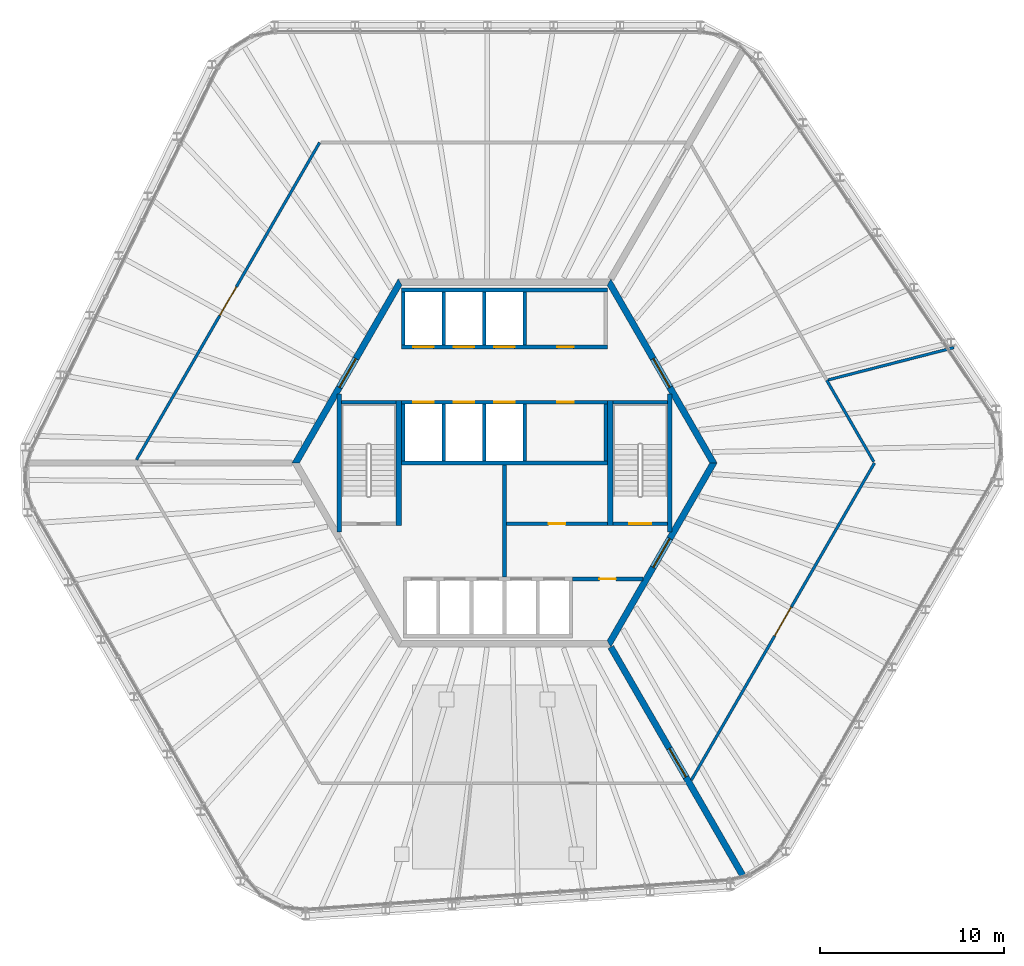
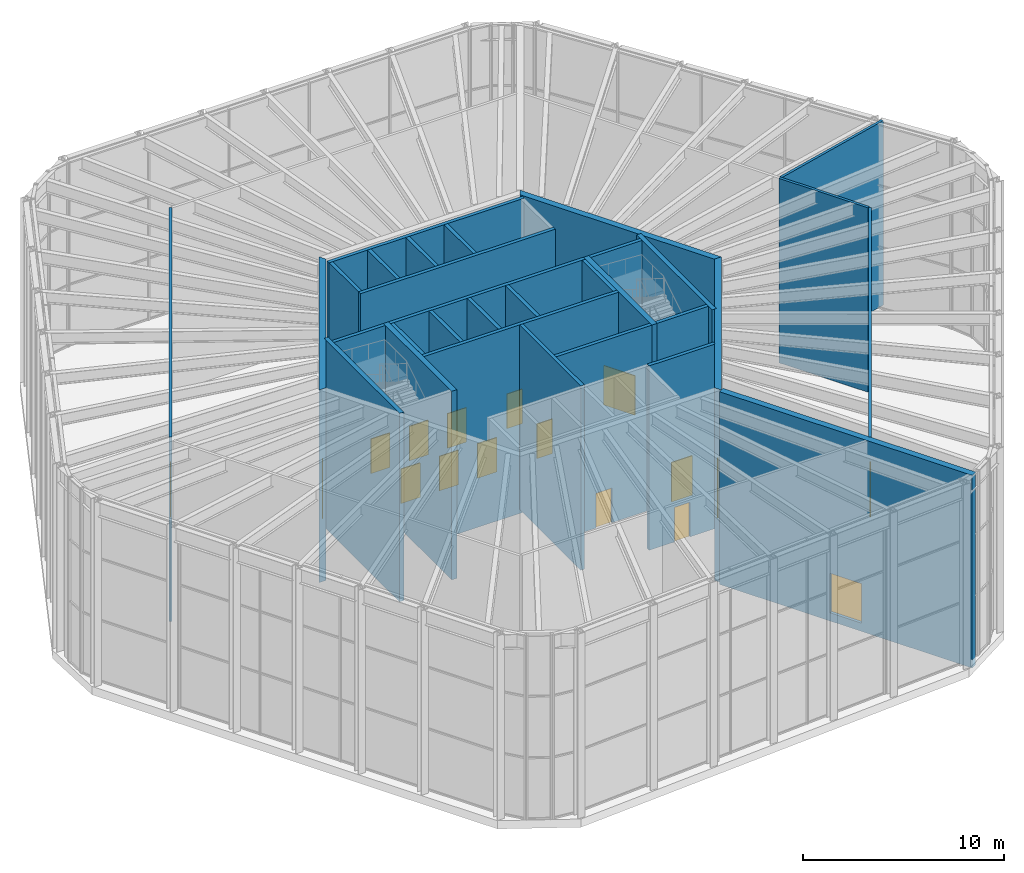
# One storey, part 14 of 17: 31 walls, 17 doors, 17 openings.
"""IFC4 building model written with IfcOpenShell, lengths in metres."""

from ifc_helpers import new_model, si_unit, direction, frame, frame_2d, origin, place, context, subcontext, project, spatial, polyline, rectangle, outline, extrude, material, layer, layer_set, type_object, element, fill, save


model = new_model("IFC4")

# Units and contexts
model_context = context("Model", 3, precision=1e-05, world=origin(), true_north=direction((0.0, 1.0)))
body_context = subcontext(model_context, "Body", "Model", "MODEL_VIEW")
ifc_project = project(units=[si_unit("LENGTHUNIT", "METRE"), si_unit("AREAUNIT", "SQUARE_METRE"), si_unit("VOLUMEUNIT", "CUBIC_METRE"), si_unit("PLANEANGLEUNIT", "RADIAN"), si_unit("MASSUNIT", "GRAM", prefix="KILO")], contexts=[model_context])

# Site, building, storey
site_placement = place(None, origin())
site = spatial("IfcSite", under=ifc_project, at=site_placement, CompositionType="ELEMENT")
building_placement = place(site_placement, origin())
building = spatial("IfcBuilding", under=site, at=building_placement, Name="Tarnside Tower", CompositionType="ELEMENT")
storey_placement = place(building_placement, frame((0.0, 0.0, 376.800048828125)))
storey = spatial("IfcBuildingStorey", under=building, at=storey_placement, Name="L91", CompositionType="ELEMENT", Elevation=376.800048828125)

# Wall, opening, door
ifc_material_1 = material(Name="Concrete C40/50", Category="concrete")
ifc_layer_1 = layer(ifc_material_1, 0.199951171875)
ifc_layer_set_1 = layer_set([ifc_layer_1], Name="Core room partition 200 C40/50")
wall_type_1 = type_object("IfcWallType", Name="Core room partition 200 C40/50", PredefinedType="PARTITIONING", material=ifc_layer_set_1)
wall_1_placement = place(storey_placement, frame((0.10009765625, -3.300048828125, 0.0), z_axis=(0.0, 0.0, 1.0), x_axis=(1.0, 0.0, 0.0)))
wall_1 = element("IfcWall", 1, at=wall_1_placement, inside=storey, type_object=wall_type_1, Name="L91 core partition R3S1", PredefinedType="PARTITIONING", context=body_context, shape_type="SweptSolid", body=[
    extrude(rectangle(XDim=5.5, YDim=0.199951171875, at=frame_2d((2.75, 0.0))), origin(), (0.0, 0.0, 1.0), 11.199951171875),
])
opening_1_placement = place(wall_1_placement, frame((2.300048828125, 0.0, 0.0)))
opening_1 = element("IfcOpeningElement", 2, at=opening_1_placement, cuts=wall_1, Name="Opening CD-room", PredefinedType="OPENING", context=body_context, shape_type="SweptSolid", body=[
    extrude(rectangle(XDim=0.89990234375, YDim=2.10009765625, at=frame_2d((0.449951171875, 1.050048828125))), frame((0.0, 0.10986328125, 0.0), z_axis=(0.0, -1.0, 0.0), x_axis=(1.0, 0.0, 0.0)), (0.0, 0.0, 1.0), 0.219970703125),
])
ifc_material_2 = material(Name="Steel fire door", Category="steel")
door_type_1 = type_object("IfcDoorType", Name="Room door FD60 900x2100", OperationType="NOTDEFINED", PredefinedType="DOOR", material=ifc_material_2)
door_1_placement = place(opening_1_placement, origin())
door_1 = element("IfcDoor", 3, at=door_1_placement, inside=storey, type_object=door_type_1, Name="L91 core room door SR1", OperationType="SINGLE_SWING_LEFT", OverallHeight=2.10009765625, OverallWidth=0.89990234375, PredefinedType="DOOR", context=body_context, shape_type="SweptSolid", body=[
    extrude(rectangle(XDim=0.89990234375, YDim=2.10009765625, at=frame_2d((0.449951171875, 1.050048828125))), frame((0.0, 0.02490234375, 0.0), z_axis=(0.0, -1.0, 0.0), x_axis=(1.0, 0.0, 0.0)), (0.0, 0.0, 1.0), 0.050048828125),
])
fill(opening_1, door_1)

# Wall
wall_2_placement = place(storey_placement, frame((0.0, -6.199951171875, 0.0), z_axis=(0.0, 0.0, 1.0), x_axis=(0.0, 1.0, 0.0)))
element("IfcWall", 4, at=wall_2_placement, inside=storey, type_object=wall_type_1, Name="L91 core partition X0", PredefinedType="PARTITIONING", context=body_context, shape_type="SweptSolid", body=[
    extrude(rectangle(XDim=6.099853515625, YDim=0.199951171875, at=frame_2d((3.0498046875, 0.0))), origin(), (0.0, 0.0, 1.0), 11.199951171875),
])

# Wall, opening, door
wall_3_placement = place(storey_placement, frame((3.699951171875, -6.300048828125, 0.0), z_axis=(0.0, 0.0, 1.0), x_axis=(1.0, 0.0, 0.0)))
wall_3 = element("IfcWall", 5, at=wall_3_placement, inside=storey, type_object=wall_type_1, Name="L91 core partition R4X", PredefinedType="PARTITIONING", context=body_context, shape_type="SweptSolid", body=[
    extrude(rectangle(XDim=3.8056640625, YDim=0.199951171875, at=frame_2d((1.90283203125, 0.0))), origin(), (0.0, 0.0, 1.0), 11.199951171875),
])
opening_2_placement = place(wall_3_placement, frame((1.452880859375, 0.0, 0.0)))
opening_2 = element("IfcOpeningElement", 6, at=opening_2_placement, cuts=wall_3, Name="Opening CD-room", PredefinedType="OPENING", context=body_context, shape_type="SweptSolid", body=[
    extrude(rectangle(XDim=0.89990234375, YDim=2.10009765625, at=frame_2d((0.449951171875, 1.050048828125))), frame((0.0, 0.10986328125, 0.0), z_axis=(0.0, -1.0, 0.0), x_axis=(1.0, 0.0, 0.0)), (0.0, 0.0, 1.0), 0.219970703125),
])
door_2_placement = place(opening_2_placement, origin())
door_2 = element("IfcDoor", 7, at=door_2_placement, inside=storey, type_object=door_type_1, Name="L91 core room door RX", OperationType="SINGLE_SWING_LEFT", OverallHeight=2.10009765625, OverallWidth=0.89990234375, PredefinedType="DOOR", context=body_context, shape_type="SweptSolid", body=[
    extrude(rectangle(XDim=0.89990234375, YDim=2.10009765625, at=frame_2d((0.449951171875, 1.050048828125))), frame((0.0, 0.02490234375, 0.0), z_axis=(0.0, -1.0, 0.0), x_axis=(1.0, 0.0, 0.0)), (0.0, 0.0, 1.0), 0.050048828125),
])
fill(opening_2, door_2)

ifc_material_3 = material(Name="Concrete C50/60", Category="concrete")
ifc_layer_2 = layer(ifc_material_3, 0.35009765625)
ifc_layer_set_2 = layer_set([ifc_layer_2], Name="Core wall Z4 350 C50/60")
wall_type_2 = type_object("IfcWallType", Name="Core wall Z4 350 C50/60", PredefinedType="SHEAR", material=ifc_layer_set_2)
wall_4_placement = place(storey_placement, frame((-5.672607421875, 9.824951171875, -0.5), z_axis=(0.0, 0.0, 1.0), x_axis=(-0.499995046907, -0.866028263435, 0.0)))
wall_4 = element("IfcWall", 8, at=wall_4_placement, inside=storey, type_object=wall_type_2, Name="L91 core wall face 2", PredefinedType="SHEAR", context=body_context, shape_type="SweptSolid", body=[
    extrude(outline(polyline([(-0.10107421875, -0.175048828125), (11.44580078125, -0.175048828125), (11.24365234375, 0.175048828125), (0.10107421875, 0.175048828125), (-0.10107421875, -0.175048828125)])), origin(), (0.0, 0.0, 1.0), 11.699951171875),
])
opening_3_placement = place(wall_4_placement, frame((4.80126953125, 0.0, 0.5)))
opening_3 = element("IfcOpeningElement", 9, at=opening_3_placement, cuts=wall_4, Name="Opening CD-LOB", PredefinedType="OPENING", context=body_context, shape_type="SweptSolid", body=[
    extrude(rectangle(XDim=1.800048828125, YDim=2.39990234375, at=frame_2d((0.89990234375, 1.199951171875))), frame((0.0, 0.18505859375, 0.0), z_axis=(0.0, -1.0, 0.0), x_axis=(1.0, 0.0, 0.0)), (0.0, 0.0, 1.0), 0.3701171875),
])
door_type_2 = type_object("IfcDoorType", Name="Lobby double door FD30S 1800x2400", OperationType="NOTDEFINED", PredefinedType="DOOR", material=ifc_material_2)
door_3_placement = place(opening_3_placement, origin())
door_3 = element("IfcDoor", 10, at=door_3_placement, inside=storey, type_object=door_type_2, Name="L91 core door P1", OperationType="DOUBLE_DOOR_SINGLE_SWING", OverallHeight=2.39990234375, OverallWidth=1.800048828125, PredefinedType="DOOR", context=body_context, shape_type="SweptSolid", body=[
    extrude(rectangle(XDim=1.800048828125, YDim=2.39990234375, at=frame_2d((0.89990234375, 1.199951171875))), frame((0.0, 0.02490234375, 0.0), z_axis=(0.0, -1.0, 0.0), x_axis=(1.0, 0.0, 0.0)), (0.0, 0.0, 1.0), 0.050048828125),
])
fill(opening_3, door_3)

wall_5_placement = place(storey_placement, frame((5.672607421875, -9.824951171875, -0.5), z_axis=(0.0, 0.0, 1.0), x_axis=(0.499995046907, 0.866028263435, 0.0)))
wall_5 = element("IfcWall", 11, at=wall_5_placement, inside=storey, type_object=wall_type_2, Name="L91 core wall face 5", PredefinedType="SHEAR", context=body_context, shape_type="SweptSolid", body=[
    extrude(outline(polyline([(-0.10107421875, -0.175048828125), (11.44580078125, -0.175048828125), (11.24365234375, 0.175048828125), (0.10107421875, 0.175048828125), (-0.10107421875, -0.175048828125)])), origin(), (0.0, 0.0, 1.0), 11.699951171875),
])
opening_4_placement = place(wall_5_placement, frame((4.80126953125, 0.0, 0.5)))
opening_4 = element("IfcOpeningElement", 12, at=opening_4_placement, cuts=wall_5, Name="Opening CD-FFL", PredefinedType="OPENING", context=body_context, shape_type="SweptSolid", body=[
    extrude(rectangle(XDim=1.800048828125, YDim=2.39990234375, at=frame_2d((0.89990234375, 1.199951171875))), frame((0.0, 0.18505859375, 0.0), z_axis=(0.0, -1.0, 0.0), x_axis=(1.0, 0.0, 0.0)), (0.0, 0.0, 1.0), 0.3701171875),
])
door_type_3 = type_object("IfcDoorType", Name="Firefighting lobby double door FD60S 1800x2400", OperationType="NOTDEFINED", PredefinedType="DOOR", material=ifc_material_2)
door_4_placement = place(opening_4_placement, origin())
door_4 = element("IfcDoor", 13, at=door_4_placement, inside=storey, type_object=door_type_3, Name="L91 core door P4", OperationType="DOUBLE_DOOR_SINGLE_SWING", OverallHeight=2.39990234375, OverallWidth=1.800048828125, PredefinedType="DOOR", context=body_context, shape_type="SweptSolid", body=[
    extrude(rectangle(XDim=1.800048828125, YDim=2.39990234375, at=frame_2d((0.89990234375, 1.199951171875))), frame((0.0, 0.02490234375, 0.0), z_axis=(0.0, -1.0, 0.0), x_axis=(1.0, 0.0, 0.0)), (0.0, 0.0, 1.0), 0.050048828125),
])
fill(opening_4, door_4)

wall_6_placement = place(storey_placement, frame((11.344970703125, 0.0, -0.5), z_axis=(0.0, 0.0, 1.0), x_axis=(-0.499995046907, 0.866028263435, 0.0)))
wall_6 = element("IfcWall", 14, at=wall_6_placement, inside=storey, type_object=wall_type_2, Name="L91 core wall face 6", PredefinedType="SHEAR", context=body_context, shape_type="SweptSolid", body=[
    extrude(outline(polyline([(-0.10107421875, -0.175048828125), (11.44580078125, -0.175048828125), (11.24365234375, 0.175048828125), (0.10107421875, 0.175048828125), (-0.10107421875, -0.175048828125)])), origin(), (0.0, 0.0, 1.0), 11.699951171875),
])
opening_5_placement = place(wall_6_placement, frame((4.74365234375, 0.0, 0.5)))
opening_5 = element("IfcOpeningElement", 15, at=opening_5_placement, cuts=wall_6, Name="Opening CD-LOB", PredefinedType="OPENING", context=body_context, shape_type="SweptSolid", body=[
    extrude(rectangle(XDim=1.800048828125, YDim=2.39990234375, at=frame_2d((0.89990234375, 1.199951171875))), frame((0.0, 0.18505859375, 0.0), z_axis=(0.0, -1.0, 0.0), x_axis=(1.0, 0.0, 0.0)), (0.0, 0.0, 1.0), 0.3701171875),
])
door_5_placement = place(opening_5_placement, origin())
door_5 = element("IfcDoor", 16, at=door_5_placement, inside=storey, type_object=door_type_2, Name="L91 core door P2", OperationType="DOUBLE_DOOR_SINGLE_SWING", OverallHeight=2.39990234375, OverallWidth=1.800048828125, PredefinedType="DOOR", context=body_context, shape_type="SweptSolid", body=[
    extrude(rectangle(XDim=1.800048828125, YDim=2.39990234375, at=frame_2d((0.89990234375, 1.199951171875))), frame((0.0, 0.02490234375, 0.0), z_axis=(0.0, -1.0, 0.0), x_axis=(1.0, 0.0, 0.0)), (0.0, 0.0, 1.0), 0.050048828125),
])
fill(opening_5, door_5)

wall_7_placement = place(storey_placement, frame((5.7734375, -10.0, -0.5), z_axis=(0.0, 0.0, 1.0), x_axis=(0.500007911273, -0.866020836161, 0.0)))
wall_7 = element("IfcWall", 17, at=wall_7_placement, inside=storey, type_object=wall_type_2, Name="L91 spine wall 3", PredefinedType="SHEAR", context=body_context, shape_type="SweptSolid", body=[
    extrude(rectangle(XDim=14.510498046875, YDim=0.35009765625, at=frame_2d((7.25537109375, 0.0))), origin(), (0.0, 0.0, 1.0), 11.699951171875),
])
opening_6_placement = place(wall_7_placement, frame((6.355224609375, 0.0, 0.5)))
opening_6 = element("IfcOpeningElement", 18, at=opening_6_placement, cuts=wall_7, Name="Opening CD-SPN", PredefinedType="OPENING", context=body_context, shape_type="SweptSolid", body=[
    extrude(rectangle(XDim=1.800048828125, YDim=2.39990234375, at=frame_2d((0.89990234375, 1.199951171875))), frame((0.0, 0.18505859375, 0.0), z_axis=(0.0, -1.0, 0.0), x_axis=(1.0, 0.0, 0.0)), (0.0, 0.0, 1.0), 0.3701171875),
])
door_type_4 = type_object("IfcDoorType", Name="Spine passage double door FD60 1800x2400", OperationType="NOTDEFINED", PredefinedType="DOOR", material=ifc_material_2)
door_6_placement = place(opening_6_placement, origin())
door_6 = element("IfcDoor", 19, at=door_6_placement, inside=storey, type_object=door_type_4, Name="L91 spine passage door 3", OperationType="DOUBLE_DOOR_SINGLE_SWING", OverallHeight=2.39990234375, OverallWidth=1.800048828125, PredefinedType="DOOR", context=body_context, shape_type="SweptSolid", body=[
    extrude(rectangle(XDim=1.800048828125, YDim=2.39990234375, at=frame_2d((0.89990234375, 1.199951171875))), frame((0.0, 0.02490234375, 0.0), z_axis=(0.0, -1.0, 0.0), x_axis=(1.0, 0.0, 0.0)), (0.0, 0.0, 1.0), 0.050048828125),
])
fill(opening_6, door_6)

# Wall, openings, doors
ifc_layer_3 = layer(ifc_material_1, 0.199951171875)
ifc_layer_set_3 = layer_set([ifc_layer_3], Name="Lift shaft wall 200 C40/50")
wall_type_3 = type_object("IfcWallType", Name="Lift shaft wall 200 C40/50", PredefinedType="SHEAR", material=ifc_layer_set_3)
wall_8_placement = place(storey_placement, frame((-5.60009765625, 6.300048828125, -0.25), z_axis=(0.0, 0.0, 1.0), x_axis=(1.0, 0.0, 0.0)))
wall_8 = element("IfcWall", 20, at=wall_8_placement, inside=storey, type_object=wall_type_3, Name="L91 lift shaft front wall R1", PredefinedType="SHEAR", context=body_context, shape_type="SweptSolid", body=[
    extrude(rectangle(XDim=11.2001953125, YDim=0.199951171875, at=frame_2d((5.60009765625, 0.0))), origin(), (0.0, 0.0, 1.0), 11.449951171875),
])
opening_7_placement = place(wall_8_placement, frame((8.449951171875, 0.0, 0.25)))
opening_7 = element("IfcOpeningElement", 21, at=opening_7_placement, cuts=wall_8, Name="Opening CD-room", PredefinedType="OPENING", context=body_context, shape_type="SweptSolid", body=[
    extrude(rectangle(XDim=0.89990234375, YDim=2.10009765625, at=frame_2d((0.449951171875, 1.050048828125))), frame((0.0, 0.10986328125, 0.0), z_axis=(0.0, -1.0, 0.0), x_axis=(1.0, 0.0, 0.0)), (0.0, 0.0, 1.0), 0.219970703125),
])
opening_8_placement = place(wall_8_placement, frame((0.64990234375, 0.0, 0.25)))
opening_8 = element("IfcOpeningElement", 22, at=opening_8_placement, cuts=wall_8, Name="Opening LD", PredefinedType="OPENING", context=body_context, shape_type="SweptSolid", body=[
    extrude(rectangle(XDim=1.10009765625, YDim=2.10009765625, at=frame_2d((0.550048828125, 1.050048828125))), frame((0.0, 0.10986328125, 0.0), z_axis=(0.0, -1.0, 0.0), x_axis=(1.0, 0.0, 0.0)), (0.0, 0.0, 1.0), 0.219970703125),
])
opening_9_placement = place(wall_8_placement, frame((2.85009765625, 0.0, 0.25)))
opening_9 = element("IfcOpeningElement", 23, at=opening_9_placement, cuts=wall_8, Name="Opening LD", PredefinedType="OPENING", context=body_context, shape_type="SweptSolid", body=[
    extrude(rectangle(XDim=1.10009765625, YDim=2.10009765625, at=frame_2d((0.550048828125, 1.050048828125))), frame((0.0, 0.10986328125, 0.0), z_axis=(0.0, -1.0, 0.0), x_axis=(1.0, 0.0, 0.0)), (0.0, 0.0, 1.0), 0.219970703125),
])
opening_10_placement = place(wall_8_placement, frame((5.050048828125, 0.0, 0.25)))
opening_10 = element("IfcOpeningElement", 24, at=opening_10_placement, cuts=wall_8, Name="Opening LD", PredefinedType="OPENING", context=body_context, shape_type="SweptSolid", body=[
    extrude(rectangle(XDim=1.10009765625, YDim=2.10009765625, at=frame_2d((0.550048828125, 1.050048828125))), frame((0.0, 0.10986328125, 0.0), z_axis=(0.0, -1.0, 0.0), x_axis=(1.0, 0.0, 0.0)), (0.0, 0.0, 1.0), 0.219970703125),
])
ifc_material_4 = material(Name="Stainless steel", Category="steel")
door_type_5 = type_object("IfcDoorType", Name="Lift landing door 1100x2100", OperationType="NOTDEFINED", PredefinedType="DOOR", material=ifc_material_4)
door_7_placement = place(opening_8_placement, origin())
door_7 = element("IfcDoor", 25, at=door_7_placement, inside=storey, type_object=door_type_5, Name="High-rise lift 1 landing door L91", OperationType="SLIDING_TO_LEFT", OverallHeight=2.10009765625, OverallWidth=1.10009765625, PredefinedType="DOOR", context=body_context, shape_type="SweptSolid", body=[
    extrude(rectangle(XDim=1.10009765625, YDim=2.10009765625, at=frame_2d((0.550048828125, 1.050048828125))), frame((0.0, 0.02490234375, 0.0), z_axis=(0.0, -1.0, 0.0), x_axis=(1.0, 0.0, 0.0)), (0.0, 0.0, 1.0), 0.050048828125),
])
fill(opening_8, door_7)
door_8_placement = place(opening_9_placement, origin())
door_8 = element("IfcDoor", 26, at=door_8_placement, inside=storey, type_object=door_type_5, Name="High-rise lift 2 landing door L91", OperationType="SLIDING_TO_LEFT", OverallHeight=2.10009765625, OverallWidth=1.10009765625, PredefinedType="DOOR", context=body_context, shape_type="SweptSolid", body=[
    extrude(rectangle(XDim=1.10009765625, YDim=2.10009765625, at=frame_2d((0.550048828125, 1.050048828125))), frame((0.0, 0.02490234375, 0.0), z_axis=(0.0, -1.0, 0.0), x_axis=(1.0, 0.0, 0.0)), (0.0, 0.0, 1.0), 0.050048828125),
])
fill(opening_9, door_8)
door_9_placement = place(opening_10_placement, origin())
door_9 = element("IfcDoor", 27, at=door_9_placement, inside=storey, type_object=door_type_5, Name="High-rise lift 3 landing door L91", OperationType="SLIDING_TO_LEFT", OverallHeight=2.10009765625, OverallWidth=1.10009765625, PredefinedType="DOOR", context=body_context, shape_type="SweptSolid", body=[
    extrude(rectangle(XDim=1.10009765625, YDim=2.10009765625, at=frame_2d((0.550048828125, 1.050048828125))), frame((0.0, 0.02490234375, 0.0), z_axis=(0.0, -1.0, 0.0), x_axis=(1.0, 0.0, 0.0)), (0.0, 0.0, 1.0), 0.050048828125),
])
fill(opening_10, door_9)
door_10_placement = place(opening_7_placement, origin())
door_10 = element("IfcDoor", 28, at=door_10_placement, inside=storey, type_object=door_type_1, Name="L91 core room door FC1", OperationType="SINGLE_SWING_LEFT", OverallHeight=2.10009765625, OverallWidth=0.89990234375, PredefinedType="DOOR", context=body_context, shape_type="SweptSolid", body=[
    extrude(rectangle(XDim=0.89990234375, YDim=2.10009765625, at=frame_2d((0.449951171875, 1.050048828125))), frame((0.0, 0.02490234375, 0.0), z_axis=(0.0, -1.0, 0.0), x_axis=(1.0, 0.0, 0.0)), (0.0, 0.0, 1.0), 0.050048828125),
])
fill(opening_7, door_10)

# Walls
wall_9_placement = place(storey_placement, frame((-5.60009765625, 9.39990234375, -0.25), z_axis=(0.0, 0.0, 1.0), x_axis=(1.0, 0.0, 0.0)))
element("IfcWall", 29, at=wall_9_placement, inside=storey, type_object=wall_type_3, Name="L91 lift shaft back wall R1", PredefinedType="SHEAR", context=body_context, shape_type="SweptSolid", body=[
    extrude(rectangle(XDim=11.2001953125, YDim=0.199951171875, at=frame_2d((5.60009765625, 0.0))), origin(), (0.0, 0.0, 1.0), 11.449951171875),
])
for number, where, z_axis, x_axis, name in (
    (30, (-5.5, 6.39990234375, -0.25), (0.0, 0.0, 1.0), (0.0, 1.0, 0.0), "L91 lift shaft partition R11"),
    (31, (-3.300048828125, 6.39990234375, -0.25), (0.0, 0.0, 1.0), (0.0, 1.0, 0.0), "L91 lift shaft partition R12"),
    (32, (-1.10009765625, 6.39990234375, -0.25), (0.0, 0.0, 1.0), (0.0, 1.0, 0.0), "L91 lift shaft partition R13"),
    (33, (1.10009765625, 6.39990234375, -0.25), (0.0, 0.0, 1.0), (0.0, 1.0, 0.0), "L91 lift shaft partition R14"),
):
    element("IfcWall", number, at=place(storey_placement, frame(where, z_axis=z_axis, x_axis=x_axis)), inside=storey, type_object=wall_type_3, Name=name, PredefinedType="SHEAR", context=body_context, shape_type="SweptSolid", body=[
        extrude(rectangle(XDim=2.900146484375, YDim=0.199951171875, at=frame_2d((1.4501953125, 0.0))), origin(), (0.0, 0.0, 1.0), 11.449951171875),
    ])

# Wall, openings, doors
wall_10_placement = place(storey_placement, frame((-5.60009765625, 3.300048828125, -0.25), z_axis=(0.0, 0.0, 1.0), x_axis=(1.0, 0.0, 0.0)))
wall_10 = element("IfcWall", 34, at=wall_10_placement, inside=storey, type_object=wall_type_3, Name="L91 lift shaft front wall R2", PredefinedType="SHEAR", context=body_context, shape_type="SweptSolid", body=[
    extrude(rectangle(XDim=11.2001953125, YDim=0.199951171875, at=frame_2d((5.60009765625, 0.0))), origin(), (0.0, 0.0, 1.0), 11.449951171875),
])
opening_11_placement = place(wall_10_placement, frame((8.449951171875, 0.0, 0.25)))
opening_11 = element("IfcOpeningElement", 35, at=opening_11_placement, cuts=wall_10, Name="Opening CD-room", PredefinedType="OPENING", context=body_context, shape_type="SweptSolid", body=[
    extrude(rectangle(XDim=0.89990234375, YDim=2.10009765625, at=frame_2d((0.449951171875, 1.050048828125))), frame((0.0, 0.10986328125, 0.0), z_axis=(0.0, -1.0, 0.0), x_axis=(1.0, 0.0, 0.0)), (0.0, 0.0, 1.0), 0.219970703125),
])
opening_12_placement = place(wall_10_placement, frame((0.64990234375, 0.0, 0.25)))
opening_12 = element("IfcOpeningElement", 36, at=opening_12_placement, cuts=wall_10, Name="Opening LD", PredefinedType="OPENING", context=body_context, shape_type="SweptSolid", body=[
    extrude(rectangle(XDim=1.10009765625, YDim=2.10009765625, at=frame_2d((0.550048828125, 1.050048828125))), frame((0.0, 0.10986328125, 0.0), z_axis=(0.0, -1.0, 0.0), x_axis=(1.0, 0.0, 0.0)), (0.0, 0.0, 1.0), 0.219970703125),
])
opening_13_placement = place(wall_10_placement, frame((2.85009765625, 0.0, 0.25)))
opening_13 = element("IfcOpeningElement", 37, at=opening_13_placement, cuts=wall_10, Name="Opening LD", PredefinedType="OPENING", context=body_context, shape_type="SweptSolid", body=[
    extrude(rectangle(XDim=1.10009765625, YDim=2.10009765625, at=frame_2d((0.550048828125, 1.050048828125))), frame((0.0, 0.10986328125, 0.0), z_axis=(0.0, -1.0, 0.0), x_axis=(1.0, 0.0, 0.0)), (0.0, 0.0, 1.0), 0.219970703125),
])
opening_14_placement = place(wall_10_placement, frame((5.050048828125, 0.0, 0.25)))
opening_14 = element("IfcOpeningElement", 38, at=opening_14_placement, cuts=wall_10, Name="Opening LD", PredefinedType="OPENING", context=body_context, shape_type="SweptSolid", body=[
    extrude(rectangle(XDim=1.10009765625, YDim=2.10009765625, at=frame_2d((0.550048828125, 1.050048828125))), frame((0.0, 0.10986328125, 0.0), z_axis=(0.0, -1.0, 0.0), x_axis=(1.0, 0.0, 0.0)), (0.0, 0.0, 1.0), 0.219970703125),
])
door_11_placement = place(opening_12_placement, origin())
door_11 = element("IfcDoor", 39, at=door_11_placement, inside=storey, type_object=door_type_5, Name="High-rise lift 4 landing door L91", OperationType="SLIDING_TO_LEFT", OverallHeight=2.10009765625, OverallWidth=1.10009765625, PredefinedType="DOOR", context=body_context, shape_type="SweptSolid", body=[
    extrude(rectangle(XDim=1.10009765625, YDim=2.10009765625, at=frame_2d((0.550048828125, 1.050048828125))), frame((0.0, 0.02490234375, 0.0), z_axis=(0.0, -1.0, 0.0), x_axis=(1.0, 0.0, 0.0)), (0.0, 0.0, 1.0), 0.050048828125),
])
fill(opening_12, door_11)
door_12_placement = place(opening_13_placement, origin())
door_12 = element("IfcDoor", 40, at=door_12_placement, inside=storey, type_object=door_type_5, Name="High-rise lift 5 landing door L91", OperationType="SLIDING_TO_LEFT", OverallHeight=2.10009765625, OverallWidth=1.10009765625, PredefinedType="DOOR", context=body_context, shape_type="SweptSolid", body=[
    extrude(rectangle(XDim=1.10009765625, YDim=2.10009765625, at=frame_2d((0.550048828125, 1.050048828125))), frame((0.0, 0.02490234375, 0.0), z_axis=(0.0, -1.0, 0.0), x_axis=(1.0, 0.0, 0.0)), (0.0, 0.0, 1.0), 0.050048828125),
])
fill(opening_13, door_12)
door_13_placement = place(opening_14_placement, origin())
door_13 = element("IfcDoor", 41, at=door_13_placement, inside=storey, type_object=door_type_5, Name="High-rise lift 6 landing door L91", OperationType="SLIDING_TO_LEFT", OverallHeight=2.10009765625, OverallWidth=1.10009765625, PredefinedType="DOOR", context=body_context, shape_type="SweptSolid", body=[
    extrude(rectangle(XDim=1.10009765625, YDim=2.10009765625, at=frame_2d((0.550048828125, 1.050048828125))), frame((0.0, 0.02490234375, 0.0), z_axis=(0.0, -1.0, 0.0), x_axis=(1.0, 0.0, 0.0)), (0.0, 0.0, 1.0), 0.050048828125),
])
fill(opening_14, door_13)
door_14_placement = place(opening_11_placement, origin())
door_14 = element("IfcDoor", 42, at=door_14_placement, inside=storey, type_object=door_type_1, Name="L91 core room door FC2", OperationType="SINGLE_SWING_LEFT", OverallHeight=2.10009765625, OverallWidth=0.89990234375, PredefinedType="DOOR", context=body_context, shape_type="SweptSolid", body=[
    extrude(rectangle(XDim=0.89990234375, YDim=2.10009765625, at=frame_2d((0.449951171875, 1.050048828125))), frame((0.0, 0.02490234375, 0.0), z_axis=(0.0, -1.0, 0.0), x_axis=(1.0, 0.0, 0.0)), (0.0, 0.0, 1.0), 0.050048828125),
])
fill(opening_11, door_14)

# Walls
wall_11_placement = place(storey_placement, frame((-5.60009765625, 0.0, -0.25), z_axis=(0.0, 0.0, 1.0), x_axis=(1.0, 0.0, 0.0)))
element("IfcWall", 43, at=wall_11_placement, inside=storey, type_object=wall_type_3, Name="L91 lift shaft back wall R2", PredefinedType="SHEAR", context=body_context, shape_type="SweptSolid", body=[
    extrude(rectangle(XDim=11.2001953125, YDim=0.199951171875, at=frame_2d((5.60009765625, 0.0))), origin(), (0.0, 0.0, 1.0), 11.449951171875),
])
for number, where, z_axis, x_axis, name in (
    (44, (-5.5, 0.10009765625, -0.25), (0.0, 0.0, 1.0), (0.0, 1.0, 0.0), "L91 lift shaft partition R21"),
    (45, (-3.300048828125, 0.10009765625, -0.25), (0.0, 0.0, 1.0), (0.0, 1.0, 0.0), "L91 lift shaft partition R22"),
    (46, (-1.10009765625, 0.10009765625, -0.25), (0.0, 0.0, 1.0), (0.0, 1.0, 0.0), "L91 lift shaft partition R23"),
    (47, (1.10009765625, 0.10009765625, -0.25), (0.0, 0.0, 1.0), (0.0, 1.0, 0.0), "L91 lift shaft partition R24"),
    (48, (5.5, 0.10009765625, -0.25), (0.0, 0.0, 1.0), (0.0, 1.0, 0.0), "L91 lift shaft partition R26"),
):
    element("IfcWall", number, at=place(storey_placement, frame(where, z_axis=z_axis, x_axis=x_axis)), inside=storey, type_object=wall_type_3, Name=name, PredefinedType="SHEAR", context=body_context, shape_type="SweptSolid", body=[
        extrude(rectangle(XDim=3.099853515625, YDim=0.199951171875, at=frame_2d((1.5498046875, 0.0))), origin(), (0.0, 0.0, 1.0), 11.449951171875),
    ])
wall_12_placement = place(storey_placement, frame((5.89990234375, 3.300048828125, -0.25), z_axis=(0.0, 0.0, 1.0), x_axis=(1.0, 0.0, 0.0)))
element("IfcWall", 49, at=wall_12_placement, inside=storey, type_object=wall_type_3, Name="L91 stair 1 enclosure cap wall n", PredefinedType="SHEAR", context=body_context, shape_type="SweptSolid", body=[
    extrude(rectangle(XDim=2.9501953125, YDim=0.199951171875, at=frame_2d((1.47509765625, 0.0))), origin(), (0.0, 0.0, 1.0), 11.449951171875),
])

# Wall, opening, door
wall_13_placement = place(storey_placement, frame((5.89990234375, -3.300048828125, -0.25), z_axis=(0.0, 0.0, 1.0), x_axis=(1.0, 0.0, 0.0)))
wall_13 = element("IfcWall", 50, at=wall_13_placement, inside=storey, type_object=wall_type_3, Name="L91 stair 1 enclosure cap wall s", PredefinedType="SHEAR", context=body_context, shape_type="SweptSolid", body=[
    extrude(rectangle(XDim=2.9501953125, YDim=0.199951171875, at=frame_2d((1.47509765625, 0.0))), origin(), (0.0, 0.0, 1.0), 11.449951171875),
])
opening_15_placement = place(wall_13_placement, frame((0.875, 0.0, 0.25)))
opening_15 = element("IfcOpeningElement", 51, at=opening_15_placement, cuts=wall_13, Name="Opening CD-STR", PredefinedType="OPENING", context=body_context, shape_type="SweptSolid", body=[
    extrude(rectangle(XDim=1.199951171875, YDim=2.39990234375, at=frame_2d((0.60009765625, 1.199951171875))), frame((0.0, 0.10986328125, 0.0), z_axis=(0.0, -1.0, 0.0), x_axis=(1.0, 0.0, 0.0)), (0.0, 0.0, 1.0), 0.219970703125),
])
door_type_6 = type_object("IfcDoorType", Name="Stair door FD60S 1200x2400", OperationType="NOTDEFINED", PredefinedType="DOOR", material=ifc_material_2)
door_15_placement = place(opening_15_placement, origin())
door_15 = element("IfcDoor", 52, at=door_15_placement, inside=storey, type_object=door_type_6, Name="L91 stair 1 door", OperationType="SINGLE_SWING_LEFT", OverallHeight=2.39990234375, OverallWidth=1.199951171875, PredefinedType="DOOR", context=body_context, shape_type="SweptSolid", body=[
    extrude(rectangle(XDim=1.199951171875, YDim=2.39990234375, at=frame_2d((0.60009765625, 1.199951171875))), frame((0.0, 0.02490234375, 0.0), z_axis=(0.0, -1.0, 0.0), x_axis=(1.0, 0.0, 0.0)), (0.0, 0.0, 1.0), 0.050048828125),
])
fill(opening_15, door_15)

# Wall
wall_14_placement = place(storey_placement, frame((-8.85009765625, 3.300048828125, -0.25), z_axis=(0.0, 0.0, 1.0), x_axis=(1.0, 0.0, 0.0)))
element("IfcWall", 53, at=wall_14_placement, inside=storey, type_object=wall_type_3, Name="L91 stair 2 enclosure cap wall n", PredefinedType="SHEAR", context=body_context, shape_type="SweptSolid", body=[
    extrude(rectangle(XDim=2.9501953125, YDim=0.199951171875, at=frame_2d((1.47509765625, 0.0))), origin(), (0.0, 0.0, 1.0), 11.449951171875),
])

# Wall, opening, door
ifc_material_5 = material(Name="Gypsum board")
ifc_layer_4 = layer(ifc_material_5, 0.14990234375)
ifc_layer_set_4 = layer_set([ifc_layer_4], Name="Partition 150 gypsum board on metal stud")
wall_type_4 = type_object("IfcWallType", Name="Partition 150 gypsum board on metal stud", PredefinedType="PARTITIONING", material=ifc_layer_set_4)
wall_15_placement = place(storey_placement, frame((-19.990966796875, 0.175048828125, 0.0), z_axis=(0.0, 0.0, 1.0), x_axis=(0.500011106667, 0.866018991252, 0.0)))
wall_15 = element("IfcWall", 54, at=wall_15_placement, inside=storey, type_object=wall_type_4, Name="Partition 002", PredefinedType="PARTITIONING", context=body_context, shape_type="SweptSolid", body=[
    extrude(rectangle(XDim=19.8896484375, YDim=0.14990234375, at=frame_2d((9.94482421875, 0.0))), origin(), (0.0, 0.0, 1.0), 11.199951171875),
])
opening_16_placement = place(wall_15_placement, frame((9.044921875, 0.0, 0.0)))
opening_16 = element("IfcOpeningElement", 55, at=opening_16_placement, cuts=wall_15, Name="Opening D1800F30", PredefinedType="OPENING", context=body_context, shape_type="SweptSolid", body=[
    extrude(rectangle(XDim=1.800048828125, YDim=2.10009765625, at=frame_2d((0.89990234375, 1.050048828125))), frame((0.0, 0.0849609375, 0.0), z_axis=(0.0, -1.0, 0.0), x_axis=(1.0, 0.0, 0.0)), (0.0, 0.0, 1.0), 0.169921875),
])
ifc_material_6 = material(Name="Timber door leaf", Category="wood")
door_type_7 = type_object("IfcDoorType", Name="Door pair 1800 x 2100 FD30S fire door", OperationType="NOTDEFINED", PredefinedType="DOOR", material=ifc_material_6)
door_16_placement = place(opening_16_placement, origin())
door_16 = element("IfcDoor", 56, at=door_16_placement, inside=storey, type_object=door_type_7, Name="Door L91-02", OperationType="DOUBLE_DOOR_SINGLE_SWING", OverallHeight=2.10009765625, OverallWidth=1.800048828125, PredefinedType="DOOR", context=body_context, shape_type="SweptSolid", body=[
    extrude(rectangle(XDim=1.800048828125, YDim=2.10009765625, at=frame_2d((0.89990234375, 1.050048828125))), frame((0.0, 0.02490234375, 0.0), z_axis=(0.0, -1.0, 0.0), x_axis=(1.0, 0.0, 0.0)), (0.0, 0.0, 1.0), 0.050048828125),
])
fill(opening_16, door_16)

wall_16_placement = place(storey_placement, frame((20.092041015625, 0.0, 0.0), z_axis=(0.0, 0.0, 1.0), x_axis=(-0.500005791521, -0.866022060022, 0.0)))
wall_16 = element("IfcWall", 57, at=wall_16_placement, inside=storey, type_object=wall_type_4, Name="Partition 006", PredefinedType="PARTITIONING", context=body_context, shape_type="SweptSolid", body=[
    extrude(rectangle(XDim=19.889892578125, YDim=0.14990234375, at=frame_2d((9.94482421875, 0.0))), origin(), (0.0, 0.0, 1.0), 11.199951171875),
])
opening_17_placement = place(wall_16_placement, frame((9.044921875, 0.0, 0.0)))
opening_17 = element("IfcOpeningElement", 58, at=opening_17_placement, cuts=wall_16, Name="Opening D1800F30", PredefinedType="OPENING", context=body_context, shape_type="SweptSolid", body=[
    extrude(rectangle(XDim=1.800048828125, YDim=2.10009765625, at=frame_2d((0.89990234375, 1.050048828125))), frame((0.0, 0.0849609375, 0.0), z_axis=(0.0, -1.0, 0.0), x_axis=(1.0, 0.0, 0.0)), (0.0, 0.0, 1.0), 0.169921875),
])
door_17_placement = place(opening_17_placement, origin())
door_17 = element("IfcDoor", 59, at=door_17_placement, inside=storey, type_object=door_type_7, Name="Door L91-04", OperationType="DOUBLE_DOOR_SINGLE_SWING", OverallHeight=2.10009765625, OverallWidth=1.800048828125, PredefinedType="DOOR", context=body_context, shape_type="SweptSolid", body=[
    extrude(rectangle(XDim=1.800048828125, YDim=2.10009765625, at=frame_2d((0.89990234375, 1.050048828125))), frame((0.0, 0.02490234375, 0.0), z_axis=(0.0, -1.0, 0.0), x_axis=(1.0, 0.0, 0.0)), (0.0, 0.0, 1.0), 0.050048828125),
])
fill(opening_17, door_17)

# Walls
wall_17_placement = place(storey_placement, frame((20.048583984375, 0.074951171875, 0.0), z_axis=(0.0, 0.0, 1.0), x_axis=(-0.499973780535, 0.86604054107, 0.0)))
element("IfcWall", 60, at=wall_17_placement, inside=storey, type_object=wall_type_4, Name="Partition 008", PredefinedType="PARTITIONING", context=body_context, shape_type="SweptSolid", body=[
    extrude(rectangle(XDim=5.101318359375, YDim=0.14990234375, at=frame_2d((2.55078125, 0.0))), origin(), (0.0, 0.0, 1.0), 11.199951171875),
])
wall_18_placement = place(storey_placement, frame((24.40673828125, 6.266845703125, 0.0), z_axis=(0.0, 0.0, 1.0), x_axis=(-0.96858611001, -0.248678401748, 0.0)))
element("IfcWall", 61, at=wall_18_placement, inside=storey, type_object=wall_type_4, Name="Partition 009", PredefinedType="PARTITIONING", context=body_context, shape_type="SweptSolid", body=[
    extrude(rectangle(XDim=7.054931640625, YDim=0.14990234375, at=frame_2d((3.52734375, 0.0))), origin(), (0.0, 0.0, 1.0), 11.199951171875),
])
ifc_layer_5 = layer(ifc_material_1, 0.25)
ifc_layer_set_5 = layer_set([ifc_layer_5], Name="Stair enclosure wall 250 C40/50")
wall_type_5 = type_object("IfcWallType", Name="Stair enclosure wall 250 C40/50", PredefinedType="SHEAR", material=ifc_layer_set_5)
for number, where, z_axis, x_axis, name in (
    (62, (8.97509765625, -3.7548828125, -0.25), (0.0, 0.0, 1.0), (0.0, 1.0, 0.0), "L91 stair 1 enclosure wall outer"),
    (63, (-8.97509765625, -3.7548828125, -0.25), (0.0, 0.0, 1.0), (0.0, 1.0, 0.0), "L91 stair 2 enclosure wall outer"),
):
    element("IfcWall", number, at=place(storey_placement, frame(where, z_axis=z_axis, x_axis=x_axis)), inside=storey, type_object=wall_type_5, Name=name, PredefinedType="SHEAR", context=body_context, shape_type="SweptSolid", body=[
        extrude(rectangle(XDim=7.509765625, YDim=0.25, at=frame_2d((3.7548828125, 0.0))), origin(), (0.0, 0.0, 1.0), 11.449951171875),
    ])
ifc_layer_6 = layer(ifc_material_1, 0.300048828125)
ifc_layer_set_6 = layer_set([ifc_layer_6], Name="Stair enclosure wall 300 C40/50")
wall_type_6 = type_object("IfcWallType", Name="Stair enclosure wall 300 C40/50", PredefinedType="SHEAR", material=ifc_layer_set_6)
for number, where, z_axis, x_axis, name in (
    (64, (5.75, -3.39990234375, -0.25), (0.0, 0.0, 1.0), (0.0, 1.0, 0.0), "L91 stair 1 enclosure wall inner"),
    (65, (-5.75, -3.39990234375, -0.25), (0.0, 0.0, 1.0), (0.0, 1.0, 0.0), "L91 stair 2 enclosure wall inner"),
):
    element("IfcWall", number, at=place(storey_placement, frame(where, z_axis=z_axis, x_axis=x_axis)), inside=storey, type_object=wall_type_6, Name=name, PredefinedType="SHEAR", context=body_context, shape_type="SweptSolid", body=[
        extrude(rectangle(XDim=6.7998046875, YDim=0.300048828125, at=frame_2d((3.39990234375, 0.0))), origin(), (0.0, 0.0, 1.0), 11.449951171875),
    ])

save(model, "model.ifc")
